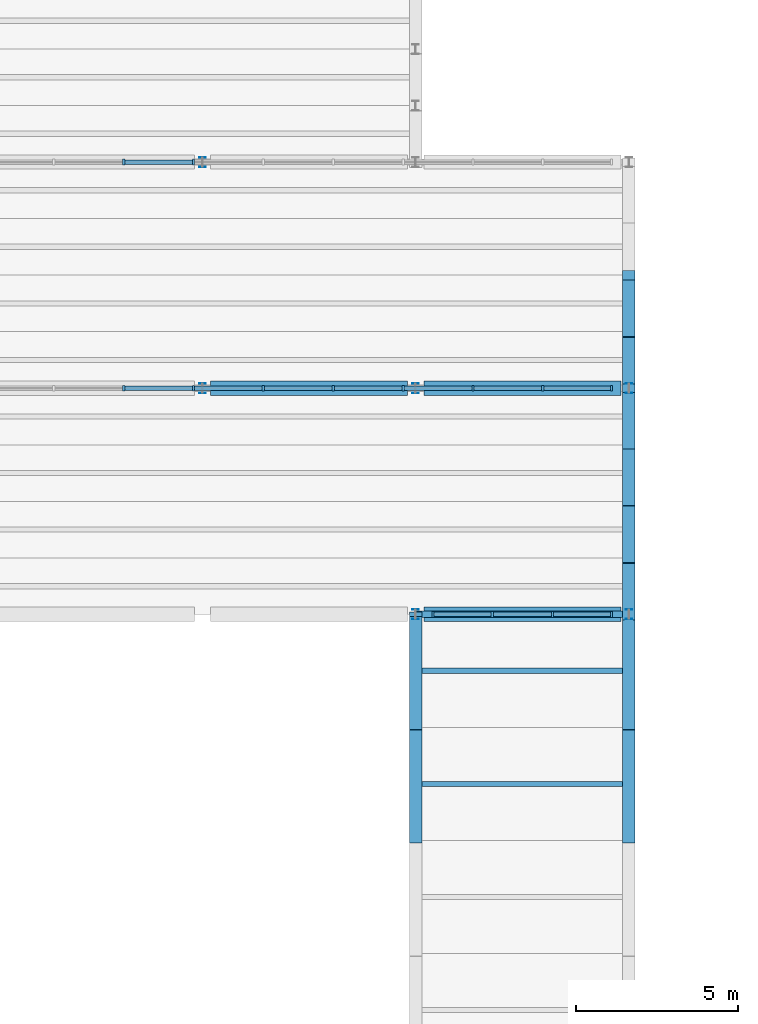
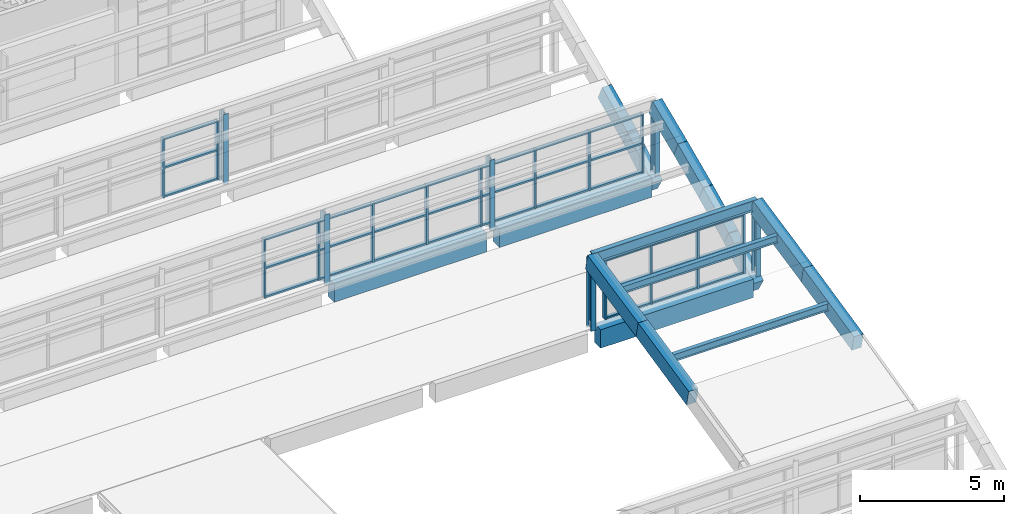
# One storey, part 57 of 92: 56 members, 13 beams, 3 elements without a shape of their own.
"""IFC4 building model written with IfcOpenShell, lengths in metres."""

from ifc_helpers import new_model, si_unit, direction, frame, origin, origin_2d, place, context, subcontext, project, spatial, rectangle, i_section, extrude, material, material_profile, profile_set, type_object, element, aggregate, save


model = new_model("IFC4")

# Units and contexts
model_context = context("Model", 3, precision=1e-05, world=origin(), true_north=direction((0.0, 1.0)))
body_context = subcontext(model_context, "Body", "Model", "MODEL_VIEW")
ifc_project = project(units=[si_unit("LENGTHUNIT", "METRE"), si_unit("AREAUNIT", "SQUARE_METRE"), si_unit("VOLUMEUNIT", "CUBIC_METRE"), si_unit("PLANEANGLEUNIT", "RADIAN"), si_unit("MASSUNIT", "GRAM", prefix="KILO")], contexts=[model_context])

# Site, building, storey
site_placement = place(None, origin())
site = spatial("IfcSite", under=ifc_project, at=site_placement, CompositionType="ELEMENT")
building_placement = place(site_placement, origin())
building = spatial("IfcBuilding", under=site, at=building_placement, Name="Ciguamira Faculty of Natural Sciences", CompositionType="ELEMENT")
storey_placement = place(building_placement, frame((0.0, 0.0, 16.800048828125)))
storey = spatial("IfcBuildingStorey", under=building, at=storey_placement, Name="L04", CompositionType="ELEMENT", Elevation=16.800048828125)

# Curtain wall, members
ifc_material_1 = material(Name="Anodized aluminium curtain wall", Category="aluminium")
curtain_wall_type_1 = type_object("IfcCurtainWallType", Name="CurtainWall_CW-06", PredefinedType="USERDEFINED", material=ifc_material_1)
curtain_wall_1_placement = place(storey_placement, origin())
curtain_wall_1 = element("IfcCurtainWall", 1, at=curtain_wall_1_placement, inside=storey, type_object=curtain_wall_type_1, Name="V4 north-light wave 4 clerestory glazing 2", ObjectType="UNITISED CURTAIN WALL", PredefinedType="USERDEFINED")
ifc_material_2 = material(Name="Anodized aluminium mullion", Category="aluminium")
ifc_material_profile_1 = material_profile(ifc_material_2, rectangle(XDim=0.070068359375, YDim=0.179931640625, at=origin_2d()), Name="ALU-MUL-70X180")
ifc_profile_set_1 = profile_set([ifc_material_profile_1], Name="Anodized aluminium mullion")
member_type_1 = type_object("IfcMemberType", Name="CWMullion_CWM-02", PredefinedType="MULLION", material=ifc_profile_set_1)
member_1_placement = place(storey_placement, frame((110.635009765625, 73.0, 0.25), z_axis=(0.0, 0.0, 1.0), x_axis=(1.0, 0.0, 0.0)))
member_1 = element("IfcMember", 2, at=member_1_placement, type_object=member_type_1, Name="CW-06 mullion 1", PredefinedType="MULLION", context=body_context, shape_type="SweptSolid", body=[
    extrude(rectangle(XDim=0.070068359375, YDim=0.179931640625, at=origin_2d()), origin(), (0.0, 0.0, 1.0), 2.5),
])
member_2_placement = place(storey_placement, frame((112.466552734375, 73.0, 0.25), z_axis=(0.0, 0.0, 1.0), x_axis=(1.0, 0.0, 0.0)))
member_2 = element("IfcMember", 3, at=member_2_placement, type_object=member_type_1, Name="CW-06 mullion 2", PredefinedType="MULLION", context=body_context, shape_type="SweptSolid", body=[
    extrude(rectangle(XDim=0.070068359375, YDim=0.179931640625, at=origin_2d()), origin(), (0.0, 0.0, 1.0), 2.5),
])
member_3_placement = place(storey_placement, frame((114.333251953125, 73.0, 0.25), z_axis=(0.0, 0.0, 1.0), x_axis=(1.0, 0.0, 0.0)))
member_3 = element("IfcMember", 4, at=member_3_placement, type_object=member_type_1, Name="CW-06 mullion 3", PredefinedType="MULLION", context=body_context, shape_type="SweptSolid", body=[
    extrude(rectangle(XDim=0.070068359375, YDim=0.179931640625, at=origin_2d()), origin(), (0.0, 0.0, 1.0), 2.5),
])
member_4_placement = place(storey_placement, frame((116.1650390625, 73.0, 0.25), z_axis=(0.0, 0.0, 1.0), x_axis=(1.0, 0.0, 0.0)))
member_4 = element("IfcMember", 5, at=member_4_placement, type_object=member_type_1, Name="CW-06 mullion 4", PredefinedType="MULLION", context=body_context, shape_type="SweptSolid", body=[
    extrude(rectangle(XDim=0.070068359375, YDim=0.179931640625, at=origin_2d()), origin(), (0.0, 0.0, 1.0), 2.5),
])

curtain_wall_type_2 = type_object("IfcCurtainWallType", Name="CurtainWall_CW-07", PredefinedType="USERDEFINED", material=ifc_material_1)
curtain_wall_2_placement = place(storey_placement, origin())
curtain_wall_2 = element("IfcCurtainWall", 6, at=curtain_wall_2_placement, inside=storey, type_object=curtain_wall_type_2, Name="V4 north-light wave 5 clerestory glazing 1", ObjectType="UNITISED CURTAIN WALL", PredefinedType="USERDEFINED")
member_5_placement = place(storey_placement, frame((101.059326171875, 80.0, 0.25), z_axis=(0.0, 0.0, 1.0), x_axis=(1.0, 0.0, 0.0)))
member_5 = element("IfcMember", 7, at=member_5_placement, type_object=member_type_1, Name="CW-07 mullion 21", PredefinedType="MULLION", context=body_context, shape_type="SweptSolid", body=[
    extrude(rectangle(XDim=0.070068359375, YDim=0.179931640625, at=origin_2d()), origin(), (0.0, 0.0, 1.0), 2.5),
])
member_6_placement = place(storey_placement, frame((103.22216796875, 80.0, 0.25), z_axis=(0.0, 0.0, 1.0), x_axis=(1.0, 0.0, 0.0)))
member_6 = element("IfcMember", 8, at=member_6_placement, type_object=member_type_1, Name="CW-07 mullion 22", PredefinedType="MULLION", context=body_context, shape_type="SweptSolid", body=[
    extrude(rectangle(XDim=0.070068359375, YDim=0.179931640625, at=origin_2d()), origin(), (0.0, 0.0, 1.0), 2.5),
])
member_7_placement = place(storey_placement, frame((105.38525390625, 80.0, 0.25), z_axis=(0.0, 0.0, 1.0), x_axis=(1.0, 0.0, 0.0)))
member_7 = element("IfcMember", 9, at=member_7_placement, type_object=member_type_1, Name="CW-07 mullion 23", PredefinedType="MULLION", context=body_context, shape_type="SweptSolid", body=[
    extrude(rectangle(XDim=0.070068359375, YDim=0.179931640625, at=origin_2d()), origin(), (0.0, 0.0, 1.0), 2.5),
])
member_8_placement = place(storey_placement, frame((107.548095703125, 80.0, 0.25), z_axis=(0.0, 0.0, 1.0), x_axis=(1.0, 0.0, 0.0)))
member_8 = element("IfcMember", 10, at=member_8_placement, type_object=member_type_1, Name="CW-07 mullion 24", PredefinedType="MULLION", context=body_context, shape_type="SweptSolid", body=[
    extrude(rectangle(XDim=0.070068359375, YDim=0.179931640625, at=origin_2d()), origin(), (0.0, 0.0, 1.0), 2.5),
])
member_9_placement = place(storey_placement, frame((109.711181640625, 80.0, 0.25), z_axis=(0.0, 0.0, 1.0), x_axis=(1.0, 0.0, 0.0)))
member_9 = element("IfcMember", 11, at=member_9_placement, type_object=member_type_1, Name="CW-07 mullion 25", PredefinedType="MULLION", context=body_context, shape_type="SweptSolid", body=[
    extrude(rectangle(XDim=0.070068359375, YDim=0.179931640625, at=origin_2d()), origin(), (0.0, 0.0, 1.0), 2.5),
])
member_10_placement = place(storey_placement, frame((111.8740234375, 80.0, 0.25), z_axis=(0.0, 0.0, 1.0), x_axis=(1.0, 0.0, 0.0)))
member_10 = element("IfcMember", 12, at=member_10_placement, type_object=member_type_1, Name="CW-07 mullion 26", PredefinedType="MULLION", context=body_context, shape_type="SweptSolid", body=[
    extrude(rectangle(XDim=0.070068359375, YDim=0.179931640625, at=origin_2d()), origin(), (0.0, 0.0, 1.0), 2.5),
])
member_11_placement = place(storey_placement, frame((114.037109375, 80.0, 0.25), z_axis=(0.0, 0.0, 1.0), x_axis=(1.0, 0.0, 0.0)))
member_11 = element("IfcMember", 13, at=member_11_placement, type_object=member_type_1, Name="CW-07 mullion 27", PredefinedType="MULLION", context=body_context, shape_type="SweptSolid", body=[
    extrude(rectangle(XDim=0.070068359375, YDim=0.179931640625, at=origin_2d()), origin(), (0.0, 0.0, 1.0), 2.5),
])
member_12_placement = place(storey_placement, frame((116.1650390625, 80.0, 0.25), z_axis=(0.0, 0.0, 1.0), x_axis=(1.0, 0.0, 0.0)))
member_12 = element("IfcMember", 14, at=member_12_placement, type_object=member_type_1, Name="CW-07 mullion 28", PredefinedType="MULLION", context=body_context, shape_type="SweptSolid", body=[
    extrude(rectangle(XDim=0.070068359375, YDim=0.179931640625, at=origin_2d()), origin(), (0.0, 0.0, 1.0), 2.5),
])

curtain_wall_type_3 = type_object("IfcCurtainWallType", Name="CurtainWall_CW-08", PredefinedType="USERDEFINED", material=ifc_material_1)
curtain_wall_3_placement = place(storey_placement, origin())
curtain_wall_3 = element("IfcCurtainWall", 15, at=curtain_wall_3_placement, inside=storey, type_object=curtain_wall_type_3, Name="V4 north-light wave 6 clerestory glazing 1", ObjectType="UNITISED CURTAIN WALL", PredefinedType="USERDEFINED")
member_13_placement = place(storey_placement, frame((101.059326171875, 87.0, 0.25), z_axis=(0.0, 0.0, 1.0), x_axis=(1.0, 0.0, 0.0)))
member_13 = element("IfcMember", 16, at=member_13_placement, type_object=member_type_1, Name="CW-08 mullion 21", PredefinedType="MULLION", context=body_context, shape_type="SweptSolid", body=[
    extrude(rectangle(XDim=0.070068359375, YDim=0.179931640625, at=origin_2d()), origin(), (0.0, 0.0, 1.0), 2.5),
])
member_14_placement = place(storey_placement, frame((103.22216796875, 87.0, 0.25), z_axis=(0.0, 0.0, 1.0), x_axis=(1.0, 0.0, 0.0)))
member_14 = element("IfcMember", 17, at=member_14_placement, type_object=member_type_1, Name="CW-08 mullion 22", PredefinedType="MULLION", context=body_context, shape_type="SweptSolid", body=[
    extrude(rectangle(XDim=0.070068359375, YDim=0.179931640625, at=origin_2d()), origin(), (0.0, 0.0, 1.0), 2.5),
])

# Member
ifc_material_3 = material(Name="Anodized aluminium transom", Category="aluminium")
ifc_material_profile_2 = material_profile(ifc_material_3, rectangle(XDim=0.070068359375, YDim=0.139892578125, at=origin_2d()), Name="ALU-TRN-70X140")
ifc_profile_set_2 = profile_set([ifc_material_profile_2], Name="Anodized aluminium transom")
member_type_2 = type_object("IfcMemberType", Name="CWTransom_CWT-02", PredefinedType="USERDEFINED", material=ifc_profile_set_2)
member_15_placement = place(storey_placement, frame((110.669921875, 73.0, 0.284912109375), z_axis=(1.0, 0.0, 0.0), x_axis=(0.0, 0.0, 1.0)))
member_15 = element("IfcMember", 18, at=member_15_placement, type_object=member_type_2, Name="CW-06 transom 1.1", ObjectType="TRANSOM", PredefinedType="USERDEFINED", context=body_context, shape_type="SweptSolid", body=[
    extrude(rectangle(XDim=0.070068359375, YDim=0.139892578125, at=origin_2d()), origin(), (0.0, 0.0, 1.0), 1.76171875),
])

member_16_placement = place(storey_placement, frame((110.669921875, 73.0, 1.5), z_axis=(1.0, 0.0, 0.0), x_axis=(0.0, 0.0, 1.0)))
member_16 = element("IfcMember", 19, at=member_16_placement, type_object=member_type_2, Name="CW-06 transom 1.2", ObjectType="TRANSOM", PredefinedType="USERDEFINED", context=body_context, shape_type="SweptSolid", body=[
    extrude(rectangle(XDim=0.070068359375, YDim=0.139892578125, at=origin_2d()), origin(), (0.0, 0.0, 1.0), 1.76171875),
])

member_17_placement = place(storey_placement, frame((110.669921875, 73.0, 2.71484375), z_axis=(1.0, 0.0, 0.0), x_axis=(0.0, 0.0, 1.0)))
member_17 = element("IfcMember", 20, at=member_17_placement, type_object=member_type_2, Name="CW-06 transom 1.3", ObjectType="TRANSOM", PredefinedType="USERDEFINED", context=body_context, shape_type="SweptSolid", body=[
    extrude(rectangle(XDim=0.070068359375, YDim=0.139892578125, at=origin_2d()), origin(), (0.0, 0.0, 1.0), 1.76171875),
])

member_18_placement = place(storey_placement, frame((112.501708984375, 73.0, 0.284912109375), z_axis=(1.0, 0.0, 0.0), x_axis=(0.0, 0.0, 1.0)))
member_18 = element("IfcMember", 21, at=member_18_placement, type_object=member_type_2, Name="CW-06 transom 2.1", ObjectType="TRANSOM", PredefinedType="USERDEFINED", context=body_context, shape_type="SweptSolid", body=[
    extrude(rectangle(XDim=0.070068359375, YDim=0.139892578125, at=origin_2d()), origin(), (0.0, 0.0, 1.0), 1.796630859375),
])

member_19_placement = place(storey_placement, frame((112.501708984375, 73.0, 1.5), z_axis=(1.0, 0.0, 0.0), x_axis=(0.0, 0.0, 1.0)))
member_19 = element("IfcMember", 22, at=member_19_placement, type_object=member_type_2, Name="CW-06 transom 2.2", ObjectType="TRANSOM", PredefinedType="USERDEFINED", context=body_context, shape_type="SweptSolid", body=[
    extrude(rectangle(XDim=0.070068359375, YDim=0.139892578125, at=origin_2d()), origin(), (0.0, 0.0, 1.0), 1.796630859375),
])

member_20_placement = place(storey_placement, frame((112.501708984375, 73.0, 2.71484375), z_axis=(1.0, 0.0, 0.0), x_axis=(0.0, 0.0, 1.0)))
member_20 = element("IfcMember", 23, at=member_20_placement, type_object=member_type_2, Name="CW-06 transom 2.3", ObjectType="TRANSOM", PredefinedType="USERDEFINED", context=body_context, shape_type="SweptSolid", body=[
    extrude(rectangle(XDim=0.070068359375, YDim=0.139892578125, at=origin_2d()), origin(), (0.0, 0.0, 1.0), 1.796630859375),
])

member_21_placement = place(storey_placement, frame((114.368408203125, 73.0, 0.284912109375), z_axis=(1.0, 0.0, 0.0), x_axis=(0.0, 0.0, 1.0)))
member_21 = element("IfcMember", 24, at=member_21_placement, type_object=member_type_2, Name="CW-06 transom 3.1", ObjectType="TRANSOM", PredefinedType="USERDEFINED", context=body_context, shape_type="SweptSolid", body=[
    extrude(rectangle(XDim=0.070068359375, YDim=0.139892578125, at=origin_2d()), origin(), (0.0, 0.0, 1.0), 1.761474609375),
])

member_22_placement = place(storey_placement, frame((114.368408203125, 73.0, 1.5), z_axis=(1.0, 0.0, 0.0), x_axis=(0.0, 0.0, 1.0)))
member_22 = element("IfcMember", 25, at=member_22_placement, type_object=member_type_2, Name="CW-06 transom 3.2", ObjectType="TRANSOM", PredefinedType="USERDEFINED", context=body_context, shape_type="SweptSolid", body=[
    extrude(rectangle(XDim=0.070068359375, YDim=0.139892578125, at=origin_2d()), origin(), (0.0, 0.0, 1.0), 1.761474609375),
])

member_23_placement = place(storey_placement, frame((114.368408203125, 73.0, 2.71484375), z_axis=(1.0, 0.0, 0.0), x_axis=(0.0, 0.0, 1.0)))
member_23 = element("IfcMember", 26, at=member_23_placement, type_object=member_type_2, Name="CW-06 transom 3.3", ObjectType="TRANSOM", PredefinedType="USERDEFINED", context=body_context, shape_type="SweptSolid", body=[
    extrude(rectangle(XDim=0.070068359375, YDim=0.139892578125, at=origin_2d()), origin(), (0.0, 0.0, 1.0), 1.761474609375),
])

aggregate(curtain_wall_1, [member_1, member_2, member_3, member_4, member_15, member_16, member_17, member_18, member_19, member_20, member_21, member_22, member_23])

member_24_placement = place(storey_placement, frame((101.09423828125, 80.0, 0.284912109375), z_axis=(1.0, 0.0, 0.0), x_axis=(0.0, 0.0, 1.0)))
member_24 = element("IfcMember", 27, at=member_24_placement, type_object=member_type_2, Name="CW-07 transom 21.1", ObjectType="TRANSOM", PredefinedType="USERDEFINED", context=body_context, shape_type="SweptSolid", body=[
    extrude(rectangle(XDim=0.070068359375, YDim=0.139892578125, at=origin_2d()), origin(), (0.0, 0.0, 1.0), 2.093017578125),
])

member_25_placement = place(storey_placement, frame((101.09423828125, 80.0, 1.5), z_axis=(1.0, 0.0, 0.0), x_axis=(0.0, 0.0, 1.0)))
member_25 = element("IfcMember", 28, at=member_25_placement, type_object=member_type_2, Name="CW-07 transom 21.2", ObjectType="TRANSOM", PredefinedType="USERDEFINED", context=body_context, shape_type="SweptSolid", body=[
    extrude(rectangle(XDim=0.070068359375, YDim=0.139892578125, at=origin_2d()), origin(), (0.0, 0.0, 1.0), 2.093017578125),
])

member_26_placement = place(storey_placement, frame((101.09423828125, 80.0, 2.71484375), z_axis=(1.0, 0.0, 0.0), x_axis=(0.0, 0.0, 1.0)))
member_26 = element("IfcMember", 29, at=member_26_placement, type_object=member_type_2, Name="CW-07 transom 21.3", ObjectType="TRANSOM", PredefinedType="USERDEFINED", context=body_context, shape_type="SweptSolid", body=[
    extrude(rectangle(XDim=0.070068359375, YDim=0.139892578125, at=origin_2d()), origin(), (0.0, 0.0, 1.0), 2.093017578125),
])

member_27_placement = place(storey_placement, frame((103.25732421875, 80.0, 0.284912109375), z_axis=(1.0, 0.0, 0.0), x_axis=(0.0, 0.0, 1.0)))
member_27 = element("IfcMember", 30, at=member_27_placement, type_object=member_type_2, Name="CW-07 transom 22.1", ObjectType="TRANSOM", PredefinedType="USERDEFINED", context=body_context, shape_type="SweptSolid", body=[
    extrude(rectangle(XDim=0.070068359375, YDim=0.139892578125, at=origin_2d()), origin(), (0.0, 0.0, 1.0), 2.0927734375),
])

member_28_placement = place(storey_placement, frame((103.25732421875, 80.0, 1.5), z_axis=(1.0, 0.0, 0.0), x_axis=(0.0, 0.0, 1.0)))
member_28 = element("IfcMember", 31, at=member_28_placement, type_object=member_type_2, Name="CW-07 transom 22.2", ObjectType="TRANSOM", PredefinedType="USERDEFINED", context=body_context, shape_type="SweptSolid", body=[
    extrude(rectangle(XDim=0.070068359375, YDim=0.139892578125, at=origin_2d()), origin(), (0.0, 0.0, 1.0), 2.0927734375),
])

member_29_placement = place(storey_placement, frame((103.25732421875, 80.0, 2.71484375), z_axis=(1.0, 0.0, 0.0), x_axis=(0.0, 0.0, 1.0)))
member_29 = element("IfcMember", 32, at=member_29_placement, type_object=member_type_2, Name="CW-07 transom 22.3", ObjectType="TRANSOM", PredefinedType="USERDEFINED", context=body_context, shape_type="SweptSolid", body=[
    extrude(rectangle(XDim=0.070068359375, YDim=0.139892578125, at=origin_2d()), origin(), (0.0, 0.0, 1.0), 2.0927734375),
])

member_30_placement = place(storey_placement, frame((105.420166015625, 80.0, 0.284912109375), z_axis=(1.0, 0.0, 0.0), x_axis=(0.0, 0.0, 1.0)))
member_30 = element("IfcMember", 33, at=member_30_placement, type_object=member_type_2, Name="CW-07 transom 23.1", ObjectType="TRANSOM", PredefinedType="USERDEFINED", context=body_context, shape_type="SweptSolid", body=[
    extrude(rectangle(XDim=0.070068359375, YDim=0.139892578125, at=origin_2d()), origin(), (0.0, 0.0, 1.0), 2.093017578125),
])

member_31_placement = place(storey_placement, frame((105.420166015625, 80.0, 1.5), z_axis=(1.0, 0.0, 0.0), x_axis=(0.0, 0.0, 1.0)))
member_31 = element("IfcMember", 34, at=member_31_placement, type_object=member_type_2, Name="CW-07 transom 23.2", ObjectType="TRANSOM", PredefinedType="USERDEFINED", context=body_context, shape_type="SweptSolid", body=[
    extrude(rectangle(XDim=0.070068359375, YDim=0.139892578125, at=origin_2d()), origin(), (0.0, 0.0, 1.0), 2.093017578125),
])

member_32_placement = place(storey_placement, frame((105.420166015625, 80.0, 2.71484375), z_axis=(1.0, 0.0, 0.0), x_axis=(0.0, 0.0, 1.0)))
member_32 = element("IfcMember", 35, at=member_32_placement, type_object=member_type_2, Name="CW-07 transom 23.3", ObjectType="TRANSOM", PredefinedType="USERDEFINED", context=body_context, shape_type="SweptSolid", body=[
    extrude(rectangle(XDim=0.070068359375, YDim=0.139892578125, at=origin_2d()), origin(), (0.0, 0.0, 1.0), 2.093017578125),
])

member_33_placement = place(storey_placement, frame((107.583251953125, 80.0, 0.284912109375), z_axis=(1.0, 0.0, 0.0), x_axis=(0.0, 0.0, 1.0)))
member_33 = element("IfcMember", 36, at=member_33_placement, type_object=member_type_2, Name="CW-07 transom 24.1", ObjectType="TRANSOM", PredefinedType="USERDEFINED", context=body_context, shape_type="SweptSolid", body=[
    extrude(rectangle(XDim=0.070068359375, YDim=0.139892578125, at=origin_2d()), origin(), (0.0, 0.0, 1.0), 2.0927734375),
])

member_34_placement = place(storey_placement, frame((107.583251953125, 80.0, 1.5), z_axis=(1.0, 0.0, 0.0), x_axis=(0.0, 0.0, 1.0)))
member_34 = element("IfcMember", 37, at=member_34_placement, type_object=member_type_2, Name="CW-07 transom 24.2", ObjectType="TRANSOM", PredefinedType="USERDEFINED", context=body_context, shape_type="SweptSolid", body=[
    extrude(rectangle(XDim=0.070068359375, YDim=0.139892578125, at=origin_2d()), origin(), (0.0, 0.0, 1.0), 2.0927734375),
])

member_35_placement = place(storey_placement, frame((107.583251953125, 80.0, 2.71484375), z_axis=(1.0, 0.0, 0.0), x_axis=(0.0, 0.0, 1.0)))
member_35 = element("IfcMember", 38, at=member_35_placement, type_object=member_type_2, Name="CW-07 transom 24.3", ObjectType="TRANSOM", PredefinedType="USERDEFINED", context=body_context, shape_type="SweptSolid", body=[
    extrude(rectangle(XDim=0.070068359375, YDim=0.139892578125, at=origin_2d()), origin(), (0.0, 0.0, 1.0), 2.0927734375),
])

member_36_placement = place(storey_placement, frame((109.74609375, 80.0, 0.284912109375), z_axis=(1.0, 0.0, 0.0), x_axis=(0.0, 0.0, 1.0)))
member_36 = element("IfcMember", 39, at=member_36_placement, type_object=member_type_2, Name="CW-07 transom 25.1", ObjectType="TRANSOM", PredefinedType="USERDEFINED", context=body_context, shape_type="SweptSolid", body=[
    extrude(rectangle(XDim=0.070068359375, YDim=0.139892578125, at=origin_2d()), origin(), (0.0, 0.0, 1.0), 2.093017578125),
])

member_37_placement = place(storey_placement, frame((109.74609375, 80.0, 1.5), z_axis=(1.0, 0.0, 0.0), x_axis=(0.0, 0.0, 1.0)))
member_37 = element("IfcMember", 40, at=member_37_placement, type_object=member_type_2, Name="CW-07 transom 25.2", ObjectType="TRANSOM", PredefinedType="USERDEFINED", context=body_context, shape_type="SweptSolid", body=[
    extrude(rectangle(XDim=0.070068359375, YDim=0.139892578125, at=origin_2d()), origin(), (0.0, 0.0, 1.0), 2.093017578125),
])

member_38_placement = place(storey_placement, frame((109.74609375, 80.0, 2.71484375), z_axis=(1.0, 0.0, 0.0), x_axis=(0.0, 0.0, 1.0)))
member_38 = element("IfcMember", 41, at=member_38_placement, type_object=member_type_2, Name="CW-07 transom 25.3", ObjectType="TRANSOM", PredefinedType="USERDEFINED", context=body_context, shape_type="SweptSolid", body=[
    extrude(rectangle(XDim=0.070068359375, YDim=0.139892578125, at=origin_2d()), origin(), (0.0, 0.0, 1.0), 2.093017578125),
])

member_39_placement = place(storey_placement, frame((111.9091796875, 80.0, 0.284912109375), z_axis=(1.0, 0.0, 0.0), x_axis=(0.0, 0.0, 1.0)))
member_39 = element("IfcMember", 42, at=member_39_placement, type_object=member_type_2, Name="CW-07 transom 26.1", ObjectType="TRANSOM", PredefinedType="USERDEFINED", context=body_context, shape_type="SweptSolid", body=[
    extrude(rectangle(XDim=0.070068359375, YDim=0.139892578125, at=origin_2d()), origin(), (0.0, 0.0, 1.0), 2.0927734375),
])

member_40_placement = place(storey_placement, frame((111.9091796875, 80.0, 1.5), z_axis=(1.0, 0.0, 0.0), x_axis=(0.0, 0.0, 1.0)))
member_40 = element("IfcMember", 43, at=member_40_placement, type_object=member_type_2, Name="CW-07 transom 26.2", ObjectType="TRANSOM", PredefinedType="USERDEFINED", context=body_context, shape_type="SweptSolid", body=[
    extrude(rectangle(XDim=0.070068359375, YDim=0.139892578125, at=origin_2d()), origin(), (0.0, 0.0, 1.0), 2.0927734375),
])

member_41_placement = place(storey_placement, frame((111.9091796875, 80.0, 2.71484375), z_axis=(1.0, 0.0, 0.0), x_axis=(0.0, 0.0, 1.0)))
member_41 = element("IfcMember", 44, at=member_41_placement, type_object=member_type_2, Name="CW-07 transom 26.3", ObjectType="TRANSOM", PredefinedType="USERDEFINED", context=body_context, shape_type="SweptSolid", body=[
    extrude(rectangle(XDim=0.070068359375, YDim=0.139892578125, at=origin_2d()), origin(), (0.0, 0.0, 1.0), 2.0927734375),
])

member_42_placement = place(storey_placement, frame((114.072021484375, 80.0, 0.284912109375), z_axis=(1.0, 0.0, 0.0), x_axis=(0.0, 0.0, 1.0)))
member_42 = element("IfcMember", 45, at=member_42_placement, type_object=member_type_2, Name="CW-07 transom 27.1", ObjectType="TRANSOM", PredefinedType="USERDEFINED", context=body_context, shape_type="SweptSolid", body=[
    extrude(rectangle(XDim=0.070068359375, YDim=0.139892578125, at=origin_2d()), origin(), (0.0, 0.0, 1.0), 2.057861328125),
])

member_43_placement = place(storey_placement, frame((114.072021484375, 80.0, 1.5), z_axis=(1.0, 0.0, 0.0), x_axis=(0.0, 0.0, 1.0)))
member_43 = element("IfcMember", 46, at=member_43_placement, type_object=member_type_2, Name="CW-07 transom 27.2", ObjectType="TRANSOM", PredefinedType="USERDEFINED", context=body_context, shape_type="SweptSolid", body=[
    extrude(rectangle(XDim=0.070068359375, YDim=0.139892578125, at=origin_2d()), origin(), (0.0, 0.0, 1.0), 2.057861328125),
])

member_44_placement = place(storey_placement, frame((114.072021484375, 80.0, 2.71484375), z_axis=(1.0, 0.0, 0.0), x_axis=(0.0, 0.0, 1.0)))
member_44 = element("IfcMember", 47, at=member_44_placement, type_object=member_type_2, Name="CW-07 transom 27.3", ObjectType="TRANSOM", PredefinedType="USERDEFINED", context=body_context, shape_type="SweptSolid", body=[
    extrude(rectangle(XDim=0.070068359375, YDim=0.139892578125, at=origin_2d()), origin(), (0.0, 0.0, 1.0), 2.057861328125),
])

aggregate(curtain_wall_2, [member_5, member_6, member_7, member_8, member_9, member_10, member_11, member_12, member_24, member_25, member_26, member_27, member_28, member_29, member_30, member_31, member_32, member_33, member_34, member_35, member_36, member_37, member_38, member_39, member_40, member_41, member_42, member_43, member_44])

member_45_placement = place(storey_placement, frame((101.09423828125, 87.0, 0.284912109375), z_axis=(1.0, 0.0, 0.0), x_axis=(0.0, 0.0, 1.0)))
member_45 = element("IfcMember", 48, at=member_45_placement, type_object=member_type_2, Name="CW-08 transom 21.1", ObjectType="TRANSOM", PredefinedType="USERDEFINED", context=body_context, shape_type="SweptSolid", body=[
    extrude(rectangle(XDim=0.070068359375, YDim=0.139892578125, at=origin_2d()), origin(), (0.0, 0.0, 1.0), 2.093017578125),
])

member_46_placement = place(storey_placement, frame((101.09423828125, 87.0, 1.5), z_axis=(1.0, 0.0, 0.0), x_axis=(0.0, 0.0, 1.0)))
member_46 = element("IfcMember", 49, at=member_46_placement, type_object=member_type_2, Name="CW-08 transom 21.2", ObjectType="TRANSOM", PredefinedType="USERDEFINED", context=body_context, shape_type="SweptSolid", body=[
    extrude(rectangle(XDim=0.070068359375, YDim=0.139892578125, at=origin_2d()), origin(), (0.0, 0.0, 1.0), 2.093017578125),
])

member_47_placement = place(storey_placement, frame((101.09423828125, 87.0, 2.71484375), z_axis=(1.0, 0.0, 0.0), x_axis=(0.0, 0.0, 1.0)))
member_47 = element("IfcMember", 50, at=member_47_placement, type_object=member_type_2, Name="CW-08 transom 21.3", ObjectType="TRANSOM", PredefinedType="USERDEFINED", context=body_context, shape_type="SweptSolid", body=[
    extrude(rectangle(XDim=0.070068359375, YDim=0.139892578125, at=origin_2d()), origin(), (0.0, 0.0, 1.0), 2.093017578125),
])

aggregate(curtain_wall_3, [member_13, member_14, member_45, member_46, member_47])

# Beams
ifc_material_4 = material(Name="Concrete C40/50", Category="concrete")
ifc_material_profile_3 = material_profile(ifc_material_4, rectangle(XDim=0.43994140625, YDim=0.780029296875, at=origin_2d()), Name="RC-BM-440X780")
ifc_profile_set_3 = profile_set([ifc_material_profile_3], Name="Concrete C40/50")
beam_type_1 = type_object("IfcBeamType", Name="RCBeam_BG-06_RC-BM-440X780", PredefinedType="BEAM", material=ifc_profile_set_3)
beam_1_placement = place(storey_placement, frame((110.35009765625, 73.0, -0.39013671875), z_axis=(1.0, 0.0, 0.0), x_axis=(0.0, 1.0, 0.0)))
element("IfcBeam", 51, at=beam_1_placement, inside=storey, type_object=beam_type_1, Name="V4 north-light wave 4 RC valley beam NVL-2-1", PredefinedType="BEAM", context=body_context, shape_type="SweptSolid", body=[
    extrude(rectangle(XDim=0.43994140625, YDim=0.780029296875, at=origin_2d()), origin(), (0.0, 0.0, 1.0), 6.099853515625),
])
beam_2_placement = place(storey_placement, frame((103.75, 80.0, -0.39013671875), z_axis=(1.0, 0.0, 0.0), x_axis=(0.0, 1.0, 0.0)))
element("IfcBeam", 52, at=beam_2_placement, inside=storey, type_object=beam_type_1, Name="V4 north-light wave 5 RC valley beam NVL-1-8", PredefinedType="BEAM", context=body_context, shape_type="SweptSolid", body=[
    extrude(rectangle(XDim=0.43994140625, YDim=0.780029296875, at=origin_2d()), origin(), (0.0, 0.0, 1.0), 6.10009765625),
])
beam_3_placement = place(storey_placement, frame((110.35009765625, 80.0, -0.39013671875), z_axis=(1.0, 0.0, 0.0), x_axis=(0.0, 1.0, 0.0)))
element("IfcBeam", 53, at=beam_3_placement, inside=storey, type_object=beam_type_1, Name="V4 north-light wave 5 RC valley beam NVL-1-9", PredefinedType="BEAM", context=body_context, shape_type="SweptSolid", body=[
    extrude(rectangle(XDim=0.43994140625, YDim=0.780029296875, at=origin_2d()), origin(), (0.0, 0.0, 1.0), 6.099853515625),
])
ifc_material_profile_4 = material_profile(ifc_material_4, rectangle(XDim=0.3798828125, YDim=0.679931640625, at=origin_2d()), Name="RC-BM-380X680")
ifc_profile_set_4 = profile_set([ifc_material_profile_4], Name="Concrete C40/50")
beam_type_2 = type_object("IfcBeamType", Name="RCBeam_BG-09_RC-BM-380X680", PredefinedType="BEAM", material=ifc_profile_set_4)
for number, where, z_axis, x_axis, name in (
    (54, (110.10009765625, 66.0, 1.3662109375), (0.0, 0.976284704932, 0.216490588517), (-1.0, 0.0, 0.0), "V4 wave roof RC edge arch rib 4-2-3-1"),
    (55, (116.699951171875, 66.0, 1.3662109375), (0.0, 0.976284704932, 0.216490588517), (-1.0, 0.0, 0.0), "V4 wave roof RC edge arch rib 4-2-3-2"),
):
    element("IfcBeam", number, at=place(storey_placement, frame(where, z_axis=z_axis, x_axis=x_axis)), inside=storey, type_object=beam_type_2, Name=name, PredefinedType="BEAM", context=body_context, shape_type="SweptSolid", body=[
        extrude(rectangle(XDim=0.3798828125, YDim=0.679931640625, at=origin_2d()), origin(), (0.0, 0.0, 1.0), 3.5849609375),
    ])
for number, where, z_axis, x_axis, name in (
    (56, (110.10009765625, 69.5, 2.142333984375), (0.0, 0.978509935938, 0.206199673303), (-1.0, 0.0, 0.0), "V4 wave roof RC edge arch rib 4-2-4-1"),
    (57, (116.699951171875, 69.5, 2.142333984375), (0.0, 0.978509935938, 0.206199673303), (-1.0, 0.0, 0.0), "V4 wave roof RC edge arch rib 4-2-4-2"),
):
    element("IfcBeam", number, at=place(storey_placement, frame(where, z_axis=z_axis, x_axis=x_axis)), inside=storey, type_object=beam_type_2, Name=name, PredefinedType="BEAM", context=body_context, shape_type="SweptSolid", body=[
        extrude(rectangle(XDim=0.3798828125, YDim=0.679931640625, at=origin_2d()), origin(), (0.0, 0.0, 1.0), 3.576904296875),
    ])
beam_4_placement = place(storey_placement, frame((116.699951171875, 73.0, -0.52001953125), z_axis=(0.0, 0.858273746902, 0.513192142749), x_axis=(-1.0, 0.0, 0.0)))
element("IfcBeam", 58, at=beam_4_placement, inside=storey, type_object=beam_type_2, Name="V4 wave roof RC edge arch rib 5-1-1-2", PredefinedType="BEAM", context=body_context, shape_type="SweptSolid", body=[
    extrude(rectangle(XDim=0.3798828125, YDim=0.679931640625, at=origin_2d()), origin(), (0.0, 0.0, 1.0), 2.0390625),
])
beam_5_placement = place(storey_placement, frame((116.699951171875, 74.75, 0.5263671875), z_axis=(0.0, 0.901554457929, 0.432665643872), x_axis=(-1.0, 0.0, 0.0)))
element("IfcBeam", 59, at=beam_5_placement, inside=storey, type_object=beam_type_2, Name="V4 wave roof RC edge arch rib 5-1-2-2", PredefinedType="BEAM", context=body_context, shape_type="SweptSolid", body=[
    extrude(rectangle(XDim=0.3798828125, YDim=0.679931640625, at=origin_2d()), origin(), (0.0, 0.0, 1.0), 1.941162109375),
])
beam_6_placement = place(storey_placement, frame((116.699951171875, 76.5, 1.3662109375), z_axis=(0.0, 0.914132059628, 0.405416548208), x_axis=(-1.0, 0.0, 0.0)))
element("IfcBeam", 60, at=beam_6_placement, inside=storey, type_object=beam_type_2, Name="V4 wave roof RC edge arch rib 5-1-3-2", PredefinedType="BEAM", context=body_context, shape_type="SweptSolid", body=[
    extrude(rectangle(XDim=0.3798828125, YDim=0.679931640625, at=origin_2d()), origin(), (0.0, 0.0, 1.0), 1.914306640625),
])
beam_7_placement = place(storey_placement, frame((116.699951171875, 78.25, 2.142333984375), z_axis=(0.0, 0.921502225808, 0.388373078148), x_axis=(-1.0, 0.0, 0.0)))
element("IfcBeam", 61, at=beam_7_placement, inside=storey, type_object=beam_type_2, Name="V4 wave roof RC edge arch rib 5-1-4-2", PredefinedType="BEAM", context=body_context, shape_type="SweptSolid", body=[
    extrude(rectangle(XDim=0.3798828125, YDim=0.679931640625, at=origin_2d()), origin(), (0.0, 0.0, 1.0), 1.899169921875),
])
beam_8_placement = place(storey_placement, frame((116.699951171875, 80.0, -0.52001953125), z_axis=(0.0, 0.858273746902, 0.513192142749), x_axis=(-1.0, 0.0, 0.0)))
element("IfcBeam", 62, at=beam_8_placement, inside=storey, type_object=beam_type_2, Name="V4 wave roof RC edge arch rib 6-1-1-2", PredefinedType="BEAM", context=body_context, shape_type="SweptSolid", body=[
    extrude(rectangle(XDim=0.3798828125, YDim=0.679931640625, at=origin_2d()), origin(), (0.0, 0.0, 1.0), 2.0390625),
])
beam_9_placement = place(storey_placement, frame((116.699951171875, 81.75, 0.5263671875), z_axis=(0.0, 0.901554457929, 0.432665643872), x_axis=(-1.0, 0.0, 0.0)))
element("IfcBeam", 63, at=beam_9_placement, inside=storey, type_object=beam_type_2, Name="V4 wave roof RC edge arch rib 6-1-2-2", PredefinedType="BEAM", context=body_context, shape_type="SweptSolid", body=[
    extrude(rectangle(XDim=0.3798828125, YDim=0.679931640625, at=origin_2d()), origin(), (0.0, 0.0, 1.0), 1.941162109375),
])

# Members
ifc_material_5 = material(Name="Steel ASTM A992 Grade 50", Category="steel")
ifc_material_profile_5 = material_profile(ifc_material_5, i_section(OverallWidth=0.164794921875, OverallDepth=0.309814453125, WebThickness=0.005859375, FlangeThickness=0.009765625, at=origin_2d()), Name="W12X26")
ifc_profile_set_5 = profile_set([ifc_material_profile_5], Name="Steel ASTM A992 Grade 50")
member_type_3 = type_object("IfcMemberType", Name="SteelMember_PR-02_W12X26", PredefinedType="PURLIN", material=ifc_profile_set_5)
for number, where, z_axis, x_axis, name in (
    (64, (110.10009765625, 67.75, 1.8994140625), (1.0, 0.0, 0.0), (0.0, 1.0, 0.0), "V4 wave roof steel purlin 4-2-3"),
    (65, (110.10009765625, 71.25, 2.65625), (1.0, 0.0, 0.0), (0.0, 1.0, 0.0), "V4 wave roof steel purlin 4-2-4"),
):
    element("IfcMember", number, at=place(storey_placement, frame(where, z_axis=z_axis, x_axis=x_axis)), inside=storey, type_object=member_type_3, Name=name, PredefinedType="PURLIN", context=body_context, shape_type="SweptSolid", body=[
        extrude(i_section(OverallWidth=0.164794921875, OverallDepth=0.309814453125, WebThickness=0.005859375, FlangeThickness=0.009765625, at=origin_2d()), origin(), (0.0, 0.0, 1.0), 6.599853515625),
    ])
ifc_material_profile_6 = material_profile(ifc_material_5, i_section(OverallWidth=0.19287109375, OverallDepth=0.46728515625, WebThickness=0.011474609375, FlangeThickness=0.01904296875, at=origin_2d()), Name="W18X65")
ifc_profile_set_6 = profile_set([ifc_material_profile_6], Name="Steel ASTM A992 Grade 50")
member_type_4 = type_object("IfcMemberType", Name="SteelMember_TC-01_W18X65", PredefinedType="CHORD", material=ifc_profile_set_6)
member_48_placement = place(storey_placement, frame((110.10009765625, 73.0, 2.986328125), z_axis=(1.0, 0.0, 0.0), x_axis=(0.0, 1.0, 0.0)))
element("IfcMember", 66, at=member_48_placement, inside=storey, type_object=member_type_4, Name="V4 north-light wave 4 crest chord 2", PredefinedType="CHORD", context=body_context, shape_type="SweptSolid", body=[
    extrude(i_section(OverallWidth=0.19287109375, OverallDepth=0.46728515625, WebThickness=0.011474609375, FlangeThickness=0.01904296875, at=origin_2d()), origin(), (0.0, 0.0, 1.0), 6.599853515625),
])
ifc_material_profile_7 = material_profile(ifc_material_5, i_section(OverallWidth=0.20458984375, OverallDepth=0.307373046875, WebThickness=0.008544921875, FlangeThickness=0.0146484375, at=origin_2d()), Name="W12X45")
ifc_profile_set_7 = profile_set([ifc_material_profile_7], Name="Steel ASTM A992 Grade 50")
member_type_5 = type_object("IfcMemberType", Name="SteelMember_TS-01_W12X45", PredefinedType="STRUT", material=ifc_profile_set_7)
for number, where, z_axis, x_axis, name in (
    (67, (110.10009765625, 73.0, 0.0), (0.0, 0.0, 1.0), (1.0, 0.0, 0.0), "V4 north-light wave 4 clerestory post 110"),
    (68, (116.699951171875, 73.0, 0.0), (0.0, 0.0, 1.0), (1.0, 0.0, 0.0), "V4 north-light wave 4 clerestory post 117"),
    (69, (103.5, 80.0, 0.0), (0.0, 0.0, 1.0), (1.0, 0.0, 0.0), "V4 north-light wave 5 clerestory post 104"),
    (70, (110.10009765625, 80.0, 0.0), (0.0, 0.0, 1.0), (1.0, 0.0, 0.0), "V4 north-light wave 5 clerestory post 110"),
    (71, (116.699951171875, 80.0, 0.0), (0.0, 0.0, 1.0), (1.0, 0.0, 0.0), "V4 north-light wave 5 clerestory post 117"),
    (72, (103.5, 87.0, 0.0), (0.0, 0.0, 1.0), (1.0, 0.0, 0.0), "V4 north-light wave 6 clerestory post 104"),
):
    element("IfcMember", number, at=place(storey_placement, frame(where, z_axis=z_axis, x_axis=x_axis)), inside=storey, type_object=member_type_5, Name=name, PredefinedType="STRUT", context=body_context, shape_type="SweptSolid", body=[
        extrude(i_section(OverallWidth=0.20458984375, OverallDepth=0.307373046875, WebThickness=0.008544921875, FlangeThickness=0.0146484375, at=origin_2d()), origin(), (0.0, 0.0, 1.0), 2.986328125),
    ])

save(model, "model.ifc")
